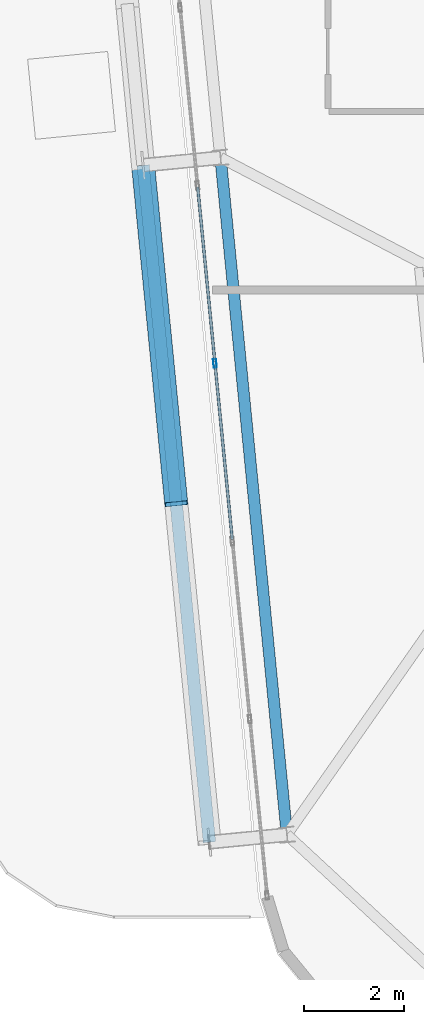
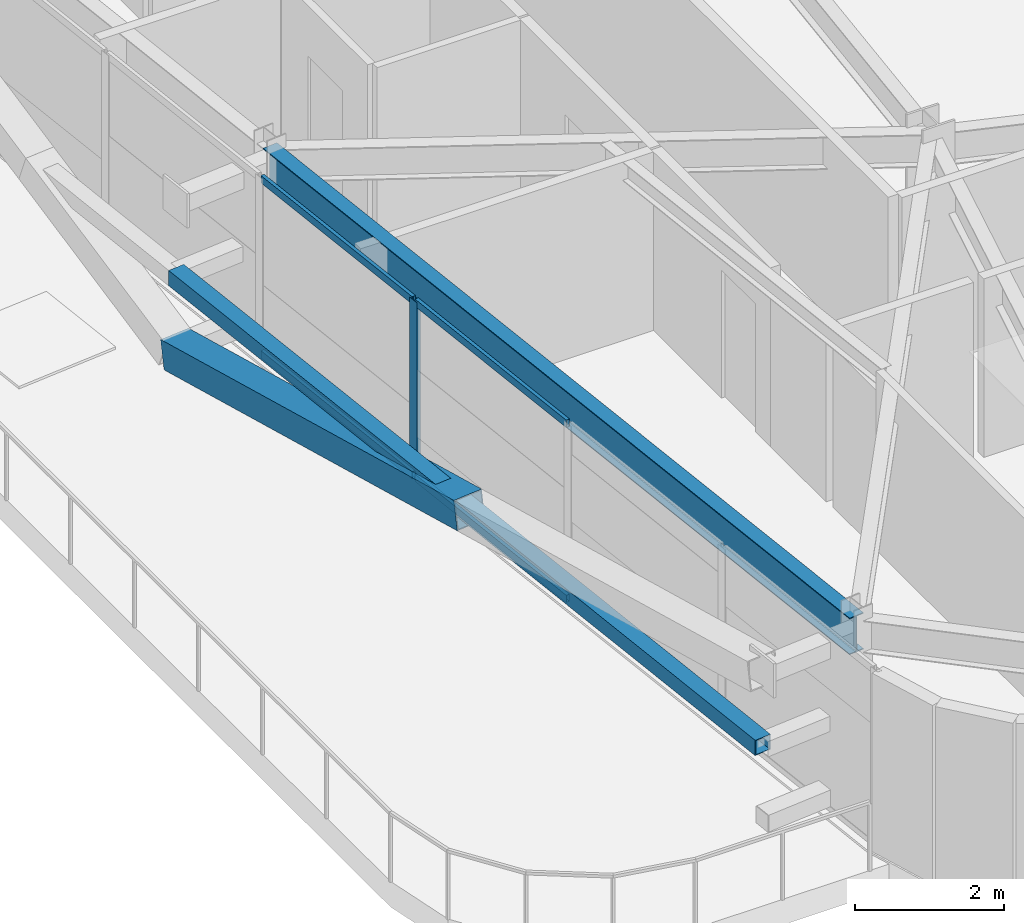
# One storey, part 8 of 51: 7 members, 1 beam, 1 element without a shape of its own.
"""IFC4 building model written with IfcOpenShell, lengths in metres."""

from ifc_helpers import new_model, si_unit, direction, frame, origin, origin_2d, place, context, subcontext, project, spatial, hollow_rectangle, i_section, extrude, source, transform, mapped, material, layer, layer_set, material_profile, profile_set, type_object, element, aggregate, save


model = new_model("IFC4")

# Units and contexts
model_context = context("Model", 3, precision=1e-05, world=origin(), true_north=direction((0.0, 1.0)))
body_context = subcontext(model_context, "Body", "Model", "MODEL_VIEW")
ifc_project = project(units=[si_unit("LENGTHUNIT", "METRE"), si_unit("AREAUNIT", "SQUARE_METRE"), si_unit("VOLUMEUNIT", "CUBIC_METRE"), si_unit("PLANEANGLEUNIT", "RADIAN"), si_unit("MASSUNIT", "GRAM", prefix="KILO")], contexts=[model_context])

# Site, building, storey
site_placement = place(None, origin())
site = spatial("IfcSite", under=ifc_project, at=site_placement, CompositionType="ELEMENT")
building_placement = place(site_placement, origin())
building = spatial("IfcBuilding", under=site, at=building_placement, Name="Taldren Reach Tower", CompositionType="ELEMENT")
storey_placement = place(building_placement, frame((0.0, 0.0, 65.10009765625)))
storey = spatial("IfcBuildingStorey", under=building, at=storey_placement, Name="L19", CompositionType="ELEMENT", Elevation=65.10009765625)

# Beam
ifc_material_1 = material(Name="Steel Gr 350 (350PLUS)", Category="steel")
ifc_material_profile_1 = material_profile(ifc_material_1, i_section(OverallWidth=0.22802734375, OverallDepth=0.60205078125, WebThickness=0.010498046875, FlangeThickness=0.014892578125, at=origin_2d()), Name="610UB101")
ifc_profile_set_1 = profile_set([ifc_material_profile_1], Name="Steel Gr 350 (350PLUS)")
beam_type = type_object("IfcBeamType", Name="BM-UB610B", PredefinedType="BEAM", material=ifc_profile_set_1)
shared_shape_1 = source(origin(), body_context, "Body", "SweptSolid", [
    extrude(i_section(OverallWidth=0.22802734375, OverallDepth=0.60205078125, WebThickness=0.010498046875, FlangeThickness=0.014892578125, at=origin_2d()), origin(), (0.0, 0.0, 1.0), 13.550048828125),
])
beam_placement = place(storey_placement, frame((10.130615234375, 16.631103515625, 2.62890625), z_axis=(0.097584021339, -0.995227290009, 0.0), x_axis=(0.995227290009, 0.097584021339, 0.0)))
element("IfcBeam", 1, at=beam_placement, inside=storey, type_object=beam_type, Name="Perimeter gable girder B2 W2-W1 L19", PredefinedType="BEAM", context=body_context, shape_type="MappedRepresentation", body=[
    mapped(shared_shape_1, transform((0.0, 0.0, 0.0), scale=1.0)),
])

# Members
ifc_material_2 = material(Name="Steel Gr 450 (C450L0)", Category="steel")
ifc_material_profile_2 = material_profile(ifc_material_2, hollow_rectangle(XDim=0.4599609375, YDim=0.4599609375, WallThickness=0.01611328125, at=origin_2d()), Name="460x460x16.0SHS")
ifc_profile_set_2 = profile_set([ifc_material_profile_2], Name="Steel Gr 450 (C450L0)")
member_type_1 = type_object("IfcMemberType", Name="MB-EXO457", PredefinedType="BRACE", material=ifc_profile_set_2)
shared_shape_2 = source(origin(), body_context, "Body", "SweptSolid", [
    extrude(hollow_rectangle(XDim=0.4599609375, YDim=0.4599609375, WallThickness=0.01611328125, at=origin_2d()), origin(), (0.0, 0.0, 1.0), 6.8828125),
])
member_1_placement = place(storey_placement, frame((8.587890625, 16.479736328125, 0.219970703125), z_axis=(0.096055397146, -0.979601884409, 0.176503565804), x_axis=(0.995226946838, 0.097587521166, 0.0)))
element("IfcMember", 2, at=member_1_placement, inside=storey, type_object=member_type_1, Name="Exoskeleton Diagrid Brace B2-W1 L19", PredefinedType="BRACE", context=body_context, shape_type="MappedRepresentation", body=[
    mapped(shared_shape_2, transform((0.0, 0.0, 0.0), scale=1.0)),
])
ifc_material_3 = material(Name="Steel Gr 350 (C350L0)", Category="steel")
ifc_material_profile_3 = material_profile(ifc_material_3, hollow_rectangle(XDim=0.25, YDim=0.25, WallThickness=0.010009765625, at=origin_2d()), Name="250x250x10.0SHS")
ifc_profile_set_3 = profile_set([ifc_material_profile_3], Name="Steel Gr 350 (C350L0)")
member_type_2 = type_object("IfcMemberType", Name="MB-POST250", PredefinedType="POST", material=ifc_profile_set_3)
shared_shape_3 = source(origin(), body_context, "Body", "SweptSolid", [
    extrude(hollow_rectangle(XDim=0.25, YDim=0.25, WallThickness=0.010009765625, at=origin_2d()), origin(), (0.0, 0.0, 1.0), 13.5498046875),
])
member_2_placement = place(storey_placement, frame((9.91015625, 2.99462890625, 1.434814453125), z_axis=(-0.097585771221, 0.995227118428, 0.0), x_axis=(-0.995227118428, -0.097585771221, 0.0)))
element("IfcMember", 3, at=member_2_placement, inside=storey, type_object=member_type_2, Name="Exoskeleton mid-height ring chord B2-W1 L19", PredefinedType="POST", context=body_context, shape_type="MappedRepresentation", body=[
    mapped(shared_shape_3, transform((0.0, 0.0, 0.0), scale=1.0)),
])

# Curtain wall, members
ifc_material_4 = material(Name="Aluminium and Low-E Glass Unitised System", Category="aluminium")
ifc_layer = layer(ifc_material_4, 0.159912109375)
ifc_layer_set = layer_set([ifc_layer], Name="Aluminium and Low-E Glass Unitised System")
curtain_wall_type = type_object("IfcCurtainWallType", Name="CW-SYS-3", PredefinedType="NOTDEFINED", material=ifc_layer_set)
curtain_wall_placement = place(storey_placement, origin())
curtain_wall = element("IfcCurtainWall", 4, at=curtain_wall_placement, inside=storey, type_object=curtain_wall_type, Name="Unitised curtain wall CW-L19-W2", PredefinedType="NOTDEFINED")
ifc_material_5 = material(Name="Anodised Aluminium 6063-T6", Category="aluminium")
ifc_material_profile_4 = material_profile(ifc_material_5, hollow_rectangle(XDim=0.06494140625, YDim=0.1650390625, WallThickness=0.00390625, at=origin_2d()), Name="ALU-165x65x4RHS")
ifc_profile_set_4 = profile_set([ifc_material_profile_4], Name="Anodised Aluminium 6063-T6")
member_type_3 = type_object("IfcMemberType", Name="CW-MUL-165", PredefinedType="MULLION", material=ifc_profile_set_4)
shared_shape_4 = source(origin(), body_context, "Body", "SweptSolid", [
    extrude(hollow_rectangle(XDim=0.06494140625, YDim=0.1650390625, WallThickness=0.00390625, at=origin_2d()), origin(), (0.0, 0.0, 1.0), 2.929931640625),
])
member_3_placement = place(storey_placement, frame((10.019775390625, 12.533203125, 0.0), z_axis=(0.0, 0.0, 1.0), x_axis=(0.995227392345, 0.097582977646, 0.0)))
member_3 = element("IfcMember", 5, at=member_3_placement, type_object=member_type_3, Name="CW-3 mullion 4", PredefinedType="MULLION", context=body_context, shape_type="MappedRepresentation", body=[
    mapped(shared_shape_4, transform((0.0, 0.0, 0.0), scale=1.0)),
])
ifc_material_profile_5 = material_profile(ifc_material_5, hollow_rectangle(XDim=0.054931640625, YDim=0.1201171875, WallThickness=0.0029296875, at=origin_2d()), Name="ALU-120x55x3RHS")
ifc_profile_set_5 = profile_set([ifc_material_profile_5], Name="Anodised Aluminium 6063-T6")
member_type_4 = type_object("IfcMemberType", Name="CW-TRN-135", PredefinedType="USERDEFINED", material=ifc_profile_set_5)
shared_shape_5 = source(origin(), body_context, "Body", "SweptSolid", [
    extrude(hollow_rectangle(XDim=0.054931640625, YDim=0.1201171875, WallThickness=0.0029296875, at=origin_2d()), origin(), (0.0, 0.0, 1.0), 3.495849609375),
])
member_4_placement = place(storey_placement, frame((10.02294921875, 12.5009765625, 0.02734375), z_axis=(0.097629744048, -0.995222805746, 0.0), x_axis=(0.995222805746, 0.097629744048, 0.0)))
member_4 = element("IfcMember", 6, at=member_4_placement, type_object=member_type_4, Name="CW-3 transom 4.1", ObjectType="TRANSOM", PredefinedType="USERDEFINED", context=body_context, shape_type="MappedRepresentation", body=[
    mapped(shared_shape_5, transform((0.0, 0.0, 0.0), scale=1.0)),
])
member_5_placement = place(storey_placement, frame((10.02294921875, 12.5009765625, 2.90234375), z_axis=(0.097629744048, -0.995222805746, 0.0), x_axis=(0.995222805746, 0.097629744048, 0.0)))
member_5 = element("IfcMember", 7, at=member_5_placement, type_object=member_type_4, Name="CW-3 transom 4.2", ObjectType="TRANSOM", PredefinedType="USERDEFINED", context=body_context, shape_type="MappedRepresentation", body=[
    mapped(shared_shape_5, transform((0.0, 0.0, 0.0), scale=1.0)),
])
shared_shape_6 = source(origin(), body_context, "Body", "SweptSolid", [
    extrude(hollow_rectangle(XDim=0.054931640625, YDim=0.1201171875, WallThickness=0.0029296875, at=origin_2d()), origin(), (0.0, 0.0, 1.0), 3.49560546875),
])
member_6_placement = place(storey_placement, frame((9.675537109375, 16.044677734375, 0.02734375), z_axis=(0.09756735487, -0.995228924049, 0.0), x_axis=(0.995228924049, 0.09756735487, 0.0)))
member_6 = element("IfcMember", 8, at=member_6_placement, type_object=member_type_4, Name="CW-3 transom 3.1", ObjectType="TRANSOM", PredefinedType="USERDEFINED", context=body_context, shape_type="MappedRepresentation", body=[
    mapped(shared_shape_6, transform((0.0, 0.0, 0.0), scale=1.0)),
])
member_7_placement = place(storey_placement, frame((9.675537109375, 16.044677734375, 2.90234375), z_axis=(0.09756735487, -0.995228924049, 0.0), x_axis=(0.995228924049, 0.09756735487, 0.0)))
member_7 = element("IfcMember", 9, at=member_7_placement, type_object=member_type_4, Name="CW-3 transom 3.2", ObjectType="TRANSOM", PredefinedType="USERDEFINED", context=body_context, shape_type="MappedRepresentation", body=[
    mapped(shared_shape_6, transform((0.0, 0.0, 0.0), scale=1.0)),
])
aggregate(curtain_wall, [member_3, member_6, member_7, member_4, member_5])

save(model, "model.ifc")
